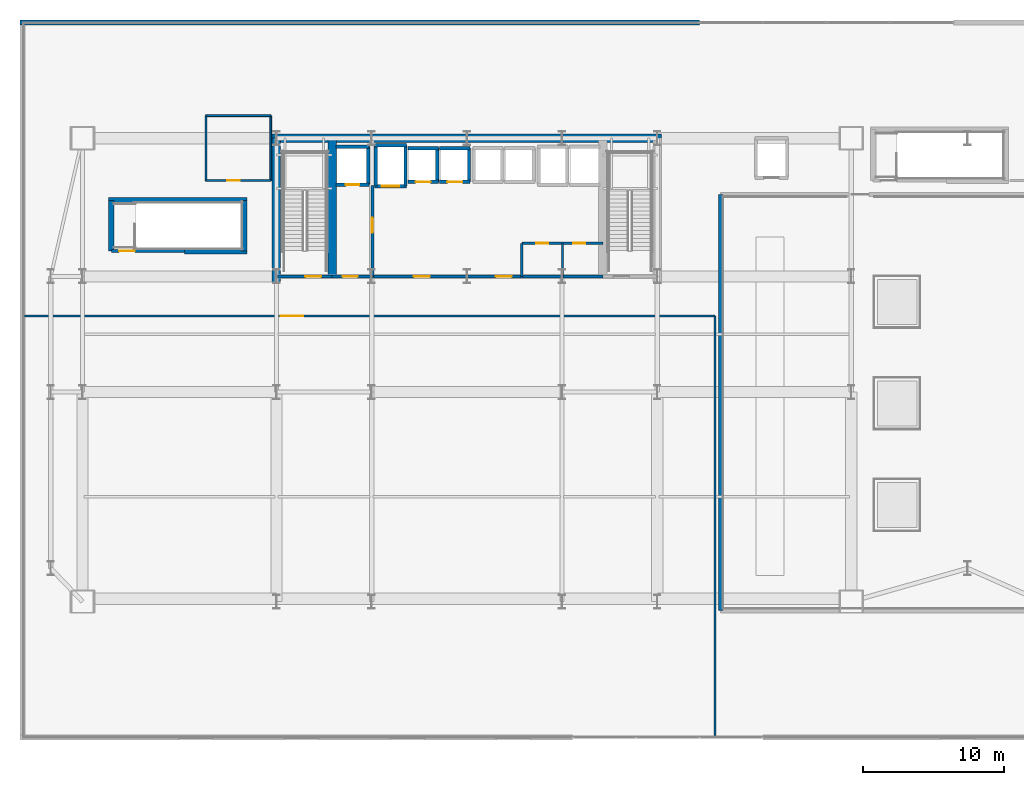
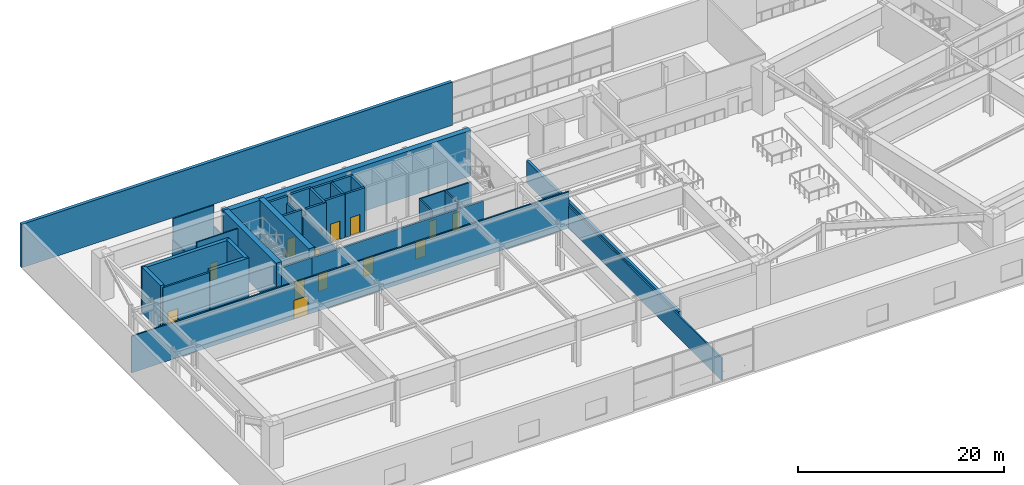
# One storey, part 16 of 29: 36 walls, 14 doors, 14 openings.
"""IFC4 building model written with IfcOpenShell, lengths in metres."""

from ifc_helpers import new_model, si_unit, direction, frame, frame_2d, origin, place, context, subcontext, project, spatial, rectangle, extrude, material, layer, layer_set, type_object, element, fill, save


model = new_model("IFC4")

# Units and contexts
model_context = context("Model", 3, precision=1e-05, world=origin(), true_north=direction((0.0, 1.0)))
body_context = subcontext(model_context, "Body", "Model", "MODEL_VIEW")
ifc_project = project(units=[si_unit("LENGTHUNIT", "METRE"), si_unit("AREAUNIT", "SQUARE_METRE"), si_unit("VOLUMEUNIT", "CUBIC_METRE"), si_unit("PLANEANGLEUNIT", "RADIAN"), si_unit("MASSUNIT", "GRAM", prefix="KILO")], contexts=[model_context])

# Site, building, storey
site_placement = place(None, origin())
site = spatial("IfcSite", under=ifc_project, at=site_placement, CompositionType="ELEMENT")
building_placement = place(site_placement, origin())
building = spatial("IfcBuilding", under=site, at=building_placement, Name="Haevon Station Towers", CompositionType="ELEMENT")
storey_placement = place(building_placement, frame((0.0, 0.0, 25.199951171875)))
storey = spatial("IfcBuildingStorey", under=building, at=storey_placement, Name="L05", CompositionType="ELEMENT", Elevation=25.199951171875)

# Wall, opening, door
ifc_material_1 = material(Name="Gypsum board on steel stud", Category="steel")
ifc_layer_1 = layer(ifc_material_1, 0.199951171875)
ifc_layer_set_1 = layer_set([ifc_layer_1], Name="Gypsum board on steel stud")
wall_type_1 = type_object("IfcWallType", Name="WL-COR200", PredefinedType="PARTITIONING", material=ifc_layer_set_1)
wall_1_placement = place(storey_placement, frame((24.0, 38.199951171875, 0.0), z_axis=(0.0, 0.0, 1.0), x_axis=(1.0, 0.0, 0.0)))
wall_1 = element("IfcWall", 1, at=wall_1_placement, inside=storey, type_object=wall_type_1, Name="WL-ST-ST1-L05", PredefinedType="PARTITIONING", context=body_context, shape_type="SweptSolid", body=[
    extrude(rectangle(XDim=3.949951171875, YDim=0.199951171875, at=frame_2d((1.97509765625, 0.0))), origin(), (0.0, 0.0, 1.0), 4.330078125),
])
opening_1_placement = place(wall_1_placement, frame((2.050048828125, 0.0, 0.0)))
opening_1 = element("IfcOpeningElement", 2, at=opening_1_placement, cuts=wall_1, Name="Opening DR-ST-ST1-L05", PredefinedType="OPENING", context=body_context, shape_type="SweptSolid", body=[
    extrude(rectangle(XDim=1.1201171875, YDim=2.10009765625, at=frame_2d((0.56005859375, 1.050048828125))), frame((0.0, 0.10986328125, 0.0), z_axis=(0.0, -1.0, 0.0), x_axis=(1.0, 0.0, 0.0)), (0.0, 0.0, 1.0), 0.219970703125),
])
ifc_material_2 = material(Name="Engineered oak timber", Category="wood")
door_type_1 = type_object("IfcDoorType", Name="DR-ST-1120", OperationType="NOTDEFINED", PredefinedType="DOOR", material=ifc_material_2)
door_1_placement = place(opening_1_placement, origin())
door_1 = element("IfcDoor", 3, at=door_1_placement, inside=storey, type_object=door_type_1, Name="L05 Escape Stair ST1 Fire Door", OperationType="SINGLE_SWING_RIGHT", OverallHeight=2.10009765625, OverallWidth=1.1201171875, PredefinedType="DOOR", context=body_context, shape_type="SweptSolid", body=[
    extrude(rectangle(XDim=1.1201171875, YDim=2.10009765625, at=frame_2d((0.56005859375, 1.050048828125))), frame((0.0, 0.02490234375, 0.0), z_axis=(0.0, -1.0, 0.0), x_axis=(1.0, 0.0, 0.0)), (0.0, 0.0, 1.0), 0.050048828125),
])
fill(opening_1, door_1)

wall_2_placement = place(storey_placement, frame((30.800048828125, 38.199951171875, 0.0), z_axis=(0.0, 0.0, 1.0), x_axis=(0.0, 1.0, 0.0)))
wall_2 = element("IfcWall", 4, at=wall_2_placement, inside=storey, type_object=wall_type_1, Name="WL-T1FFL-L05-E", PredefinedType="PARTITIONING", context=body_context, shape_type="SweptSolid", body=[
    extrude(rectangle(XDim=6.449951171875, YDim=0.199951171875, at=frame_2d((3.22509765625, 0.0))), origin(), (0.0, 0.0, 1.0), 4.330078125),
])
opening_2_placement = place(wall_2_placement, frame((3.10009765625, 0.0, 0.0)))
opening_2 = element("IfcOpeningElement", 5, at=opening_2_placement, cuts=wall_2, Name="Opening DR-T1FFL-L05-E", PredefinedType="OPENING", context=body_context, shape_type="SweptSolid", body=[
    extrude(rectangle(XDim=1.050048828125, YDim=2.10009765625, at=frame_2d((0.52490234375, 1.050048828125))), frame((0.0, 0.10986328125, 0.0), z_axis=(0.0, -1.0, 0.0), x_axis=(1.0, 0.0, 0.0)), (0.0, 0.0, 1.0), 0.219970703125),
])
door_type_2 = type_object("IfcDoorType", Name="DR-FD60-1050", OperationType="NOTDEFINED", PredefinedType="DOOR", material=ifc_material_2)
door_2_placement = place(opening_2_placement, origin())
door_2 = element("IfcDoor", 6, at=door_2_placement, inside=storey, type_object=door_type_2, Name="L05 Tower 1 Firefighting Lift Lobby Door E", OperationType="SINGLE_SWING_RIGHT", OverallHeight=2.10009765625, OverallWidth=1.050048828125, PredefinedType="DOOR", context=body_context, shape_type="SweptSolid", body=[
    extrude(rectangle(XDim=1.050048828125, YDim=2.10009765625, at=frame_2d((0.52490234375, 1.050048828125))), frame((0.0, 0.02490234375, 0.0), z_axis=(0.0, -1.0, 0.0), x_axis=(1.0, 0.0, 0.0)), (0.0, 0.0, 1.0), 0.050048828125),
])
fill(opening_2, door_2)

wall_3_placement = place(storey_placement, frame((27.949951171875, 38.199951171875, 0.0), z_axis=(0.0, 0.0, 1.0), x_axis=(1.0, 0.0, 0.0)))
wall_3 = element("IfcWall", 7, at=wall_3_placement, inside=storey, type_object=wall_type_1, Name="WL-T1FFL-L05-S", PredefinedType="PARTITIONING", context=body_context, shape_type="SweptSolid", body=[
    extrude(rectangle(XDim=2.85009765625, YDim=0.199951171875, at=frame_2d((1.425048828125, 0.0))), origin(), (0.0, 0.0, 1.0), 4.330078125),
])
opening_3_placement = place(wall_3_placement, frame((0.75, 0.0, 0.0)))
opening_3 = element("IfcOpeningElement", 8, at=opening_3_placement, cuts=wall_3, Name="Opening DR-T1FFL-L05-S", PredefinedType="OPENING", context=body_context, shape_type="SweptSolid", body=[
    extrude(rectangle(XDim=1.050048828125, YDim=2.10009765625, at=frame_2d((0.52490234375, 1.050048828125))), frame((0.0, 0.10986328125, 0.0), z_axis=(0.0, -1.0, 0.0), x_axis=(1.0, 0.0, 0.0)), (0.0, 0.0, 1.0), 0.219970703125),
])
door_3_placement = place(opening_3_placement, origin())
door_3 = element("IfcDoor", 9, at=door_3_placement, inside=storey, type_object=door_type_2, Name="L05 Tower 1 Firefighting Lift Lobby Door S", OperationType="SINGLE_SWING_LEFT", OverallHeight=2.10009765625, OverallWidth=1.050048828125, PredefinedType="DOOR", context=body_context, shape_type="SweptSolid", body=[
    extrude(rectangle(XDim=1.050048828125, YDim=2.10009765625, at=frame_2d((0.52490234375, 1.050048828125))), frame((0.0, 0.02490234375, 0.0), z_axis=(0.0, -1.0, 0.0), x_axis=(1.0, 0.0, 0.0)), (0.0, 0.0, 1.0), 0.050048828125),
])
fill(opening_3, door_3)

# Wall, openings, doors
wall_4_placement = place(storey_placement, frame((30.800048828125, 38.199951171875, 0.0), z_axis=(0.0, 0.0, 1.0), x_axis=(1.0, 0.0, 0.0)))
wall_4 = element("IfcWall", 10, at=wall_4_placement, inside=storey, type_object=wall_type_1, Name="WL-T1CLB-L05", PredefinedType="PARTITIONING", context=body_context, shape_type="SweptSolid", body=[
    extrude(rectangle(XDim=16.349853515625, YDim=0.199951171875, at=frame_2d((8.1748046875, 0.0))), origin(), (0.0, 0.0, 1.0), 4.330078125),
])
opening_4_placement = place(wall_4_placement, frame((2.949951171875, 0.0, 0.0)))
opening_4 = element("IfcOpeningElement", 11, at=opening_4_placement, cuts=wall_4, Name="Opening DR-T1CLB-L05-1", PredefinedType="OPENING", context=body_context, shape_type="SweptSolid", body=[
    extrude(rectangle(XDim=1.1201171875, YDim=2.10009765625, at=frame_2d((0.56005859375, 1.050048828125))), frame((0.0, 0.10986328125, 0.0), z_axis=(0.0, -1.0, 0.0), x_axis=(1.0, 0.0, 0.0)), (0.0, 0.0, 1.0), 0.219970703125),
])
opening_5_placement = place(wall_4_placement, frame((8.75, 0.0, 0.0)))
opening_5 = element("IfcOpeningElement", 12, at=opening_5_placement, cuts=wall_4, Name="Opening DR-T1CLB-L05-2", PredefinedType="OPENING", context=body_context, shape_type="SweptSolid", body=[
    extrude(rectangle(XDim=1.1201171875, YDim=2.10009765625, at=frame_2d((0.56005859375, 1.050048828125))), frame((0.0, 0.10986328125, 0.0), z_axis=(0.0, -1.0, 0.0), x_axis=(1.0, 0.0, 0.0)), (0.0, 0.0, 1.0), 0.219970703125),
])
door_4_placement = place(opening_4_placement, origin())
door_4 = element("IfcDoor", 13, at=door_4_placement, inside=storey, type_object=door_type_1, Name="L05 Tower 1 Core Lift Lobby Door 1", OperationType="SINGLE_SWING_RIGHT", OverallHeight=2.10009765625, OverallWidth=1.1201171875, PredefinedType="DOOR", context=body_context, shape_type="SweptSolid", body=[
    extrude(rectangle(XDim=1.1201171875, YDim=2.10009765625, at=frame_2d((0.56005859375, 1.050048828125))), frame((0.0, 0.02490234375, 0.0), z_axis=(0.0, -1.0, 0.0), x_axis=(1.0, 0.0, 0.0)), (0.0, 0.0, 1.0), 0.050048828125),
])
fill(opening_4, door_4)
door_5_placement = place(opening_5_placement, origin())
door_5 = element("IfcDoor", 14, at=door_5_placement, inside=storey, type_object=door_type_1, Name="L05 Tower 1 Core Lift Lobby Door 2", OperationType="SINGLE_SWING_LEFT", OverallHeight=2.10009765625, OverallWidth=1.1201171875, PredefinedType="DOOR", context=body_context, shape_type="SweptSolid", body=[
    extrude(rectangle(XDim=1.1201171875, YDim=2.10009765625, at=frame_2d((0.56005859375, 1.050048828125))), frame((0.0, 0.02490234375, 0.0), z_axis=(0.0, -1.0, 0.0), x_axis=(1.0, 0.0, 0.0)), (0.0, 0.0, 1.0), 0.050048828125),
])
fill(opening_5, door_5)

# Wall, opening, door
wall_5_placement = place(storey_placement, frame((12.300048828125, 40.0, 0.0), z_axis=(0.0, 0.0, 1.0), x_axis=(1.0, 0.0, 0.0)))
wall_5 = element("IfcWall", 15, at=wall_5_placement, inside=storey, type_object=wall_type_1, Name="WL-ST-ST5-L05-S", PredefinedType="PARTITIONING", context=body_context, shape_type="SweptSolid", body=[
    extrude(rectangle(XDim=5.199951171875, YDim=0.199951171875, at=frame_2d((2.60009765625, 0.0))), origin(), (0.0, 0.0, 1.0), 5.130126953125),
])
opening_6_placement = place(wall_5_placement, frame((0.550048828125, 0.0, 0.0)))
opening_6 = element("IfcOpeningElement", 16, at=opening_6_placement, cuts=wall_5, Name="Opening DR-ST-ST5-L05", PredefinedType="OPENING", context=body_context, shape_type="SweptSolid", body=[
    extrude(rectangle(XDim=1.1201171875, YDim=2.10009765625, at=frame_2d((0.56005859375, 1.050048828125))), frame((0.0, 0.10986328125, 0.0), z_axis=(0.0, -1.0, 0.0), x_axis=(1.0, 0.0, 0.0)), (0.0, 0.0, 1.0), 0.219970703125),
])
door_6_placement = place(opening_6_placement, origin())
door_6 = element("IfcDoor", 17, at=door_6_placement, inside=storey, type_object=door_type_1, Name="L05 Station Escape Stair ST5 Fire Door", OperationType="SINGLE_SWING_LEFT", OverallHeight=2.10009765625, OverallWidth=1.1201171875, PredefinedType="DOOR", context=body_context, shape_type="SweptSolid", body=[
    extrude(rectangle(XDim=1.1201171875, YDim=2.10009765625, at=frame_2d((0.56005859375, 1.050048828125))), frame((0.0, 0.02490234375, 0.0), z_axis=(0.0, -1.0, 0.0), x_axis=(1.0, 0.0, 0.0)), (0.0, 0.0, 1.0), 0.050048828125),
])
fill(opening_6, door_6)

# Walls
ifc_material_3 = material(Name="Concrete C60/75", Category="concrete")
ifc_layer_2 = layer(ifc_material_3, 0.39990234375)
ifc_layer_set_2 = layer_set([ifc_layer_2], Name="Concrete C60/75")
wall_type_2 = type_object("IfcWallType", Name="WL-CR400", PredefinedType="SHEAR", material=ifc_layer_set_2)
wall_6_placement = place(storey_placement, frame((12.10009765625, 43.60009765625, 0.0), z_axis=(0.0, 0.0, 1.0), x_axis=(1.0, 0.0, 0.0)))
element("IfcWall", 18, at=wall_6_placement, inside=storey, type_object=wall_type_2, Name="WL-ST5CR-L05-N", PredefinedType="SHEAR", context=body_context, shape_type="SweptSolid", body=[
    extrude(rectangle(XDim=9.7998046875, YDim=0.39990234375, at=frame_2d((4.89990234375, 0.0))), origin(), (0.0, 0.0, 1.0), 5.400146484375),
])
for number, where, z_axis, x_axis, name in (
    (19, (12.300048828125, 40.0, 0.0), (0.0, 0.0, 1.0), (0.0, 1.0, 0.0), "WL-ST5CR-L05-W"),
    (20, (21.699951171875, 40.0, 0.0), (0.0, 0.0, 1.0), (0.0, 1.0, 0.0), "WL-ST5CR-L05-E"),
):
    element("IfcWall", number, at=place(storey_placement, frame(where, z_axis=z_axis, x_axis=x_axis)), inside=storey, type_object=wall_type_2, Name=name, PredefinedType="SHEAR", context=body_context, shape_type="SweptSolid", body=[
        extrude(rectangle(XDim=3.60009765625, YDim=0.39990234375, at=frame_2d((1.800048828125, 0.0))), origin(), (0.0, 0.0, 1.0), 5.400146484375),
    ])
wall_7_placement = place(storey_placement, frame((17.5, 40.0, 0.0), z_axis=(0.0, 0.0, 1.0), x_axis=(1.0, 0.0, 0.0)))
element("IfcWall", 21, at=wall_7_placement, inside=storey, type_object=wall_type_2, Name="WL-ST5CR-L05-S2", PredefinedType="SHEAR", context=body_context, shape_type="SweptSolid", body=[
    extrude(rectangle(XDim=4.39990234375, YDim=0.39990234375, at=frame_2d((2.199951171875, 0.0))), origin(), (0.0, 0.0, 1.0), 5.400146484375),
])
ifc_layer_3 = layer(ifc_material_3, 0.60009765625)
ifc_layer_set_3 = layer_set([ifc_layer_3], Name="Concrete C60/75")
wall_type_3 = type_object("IfcWallType", Name="WL-CR600", PredefinedType="SHEAR", material=ifc_layer_set_3)
wall_8_placement = place(storey_placement, frame((23.699951171875, 48.0, 0.0), z_axis=(0.0, 0.0, 1.0), x_axis=(1.0, 0.0, 0.0)))
element("IfcWall", 22, at=wall_8_placement, inside=storey, type_object=wall_type_3, Name="WL-T1CR-L05-N", PredefinedType="SHEAR", context=body_context, shape_type="SweptSolid", body=[
    extrude(rectangle(XDim=27.60009765625, YDim=0.60009765625, at=frame_2d((13.800048828125, 0.0))), origin(), (0.0, 0.0, 1.0), 5.400146484375),
])
wall_9_placement = place(storey_placement, frame((24.0, 37.679931640625, 0.0), z_axis=(0.0, 0.0, 1.0), x_axis=(0.0, 1.0, 0.0)))
element("IfcWall", 23, at=wall_9_placement, inside=storey, type_object=wall_type_3, Name="WL-T1CR-L05-W", PredefinedType="SHEAR", context=body_context, shape_type="SweptSolid", body=[
    extrude(rectangle(XDim=10.320068359375, YDim=0.60009765625, at=frame_2d((5.16015625, 0.0))), origin(), (0.0, 0.0, 1.0), 5.400146484375),
])
wall_10_placement = place(storey_placement, frame((27.949951171875, 38.199951171875, 0.0), z_axis=(0.0, 0.0, 1.0), x_axis=(0.0, 1.0, 0.0)))
element("IfcWall", 24, at=wall_10_placement, inside=storey, type_object=wall_type_3, Name="WL-T1CR-L05-M1", PredefinedType="SHEAR", context=body_context, shape_type="SweptSolid", body=[
    extrude(rectangle(XDim=9.800048828125, YDim=0.60009765625, at=frame_2d((4.89990234375, 0.0))), origin(), (0.0, 0.0, 1.0), 5.400146484375),
])
ifc_material_4 = material(Name="Precast concrete C45/55", Category="concrete")
ifc_layer_4 = layer(ifc_material_4, 0.300048828125)
ifc_layer_set_4 = layer_set([ifc_layer_4], Name="Precast concrete C45/55")
wall_type_4 = type_object("IfcWallType", Name="WL-EXT-PIER300", PredefinedType="SOLIDWALL", material=ifc_layer_set_4)
wall_11_placement = place(storey_placement, frame((55.5, 14.5, 0.0), z_axis=(0.0, 0.0, 1.0), x_axis=(0.0, 1.0, 0.0)))
element("IfcWall", 25, at=wall_11_placement, inside=storey, type_object=wall_type_4, Name="WL-L05-CTYD-W", PredefinedType="SOLIDWALL", context=body_context, shape_type="SweptSolid", body=[
    extrude(rectangle(XDim=29.5, YDim=0.300048828125, at=frame_2d((14.75, 0.0))), origin(), (0.0, 0.0, 1.0), 2.630126953125),
])
ifc_layer_5 = layer(ifc_material_4, 0.360107421875)
ifc_layer_set_5 = layer_set([ifc_layer_5], Name="Precast concrete C45/55")
wall_type_5 = type_object("IfcWallType", Name="WL-EXT-POD360", PredefinedType="SOLIDWALL", material=ifc_layer_set_5)
wall_12_placement = place(storey_placement, frame((5.820068359375, 56.199951171875, 0.0), z_axis=(0.0, 0.0, 1.0), x_axis=(1.0, 0.0, 0.0)))
element("IfcWall", 26, at=wall_12_placement, inside=storey, type_object=wall_type_5, Name="WL-POD-L05-N1", PredefinedType="SOLIDWALL", context=body_context, shape_type="SweptSolid", body=[
    extrude(rectangle(XDim=48.179931640625, YDim=0.360107421875, at=frame_2d((24.08984375, 0.0))), origin(), (0.0, 0.0, 1.0), 5.130126953125),
])

# Wall, opening, door
ifc_layer_6 = layer(ifc_material_1, 0.125)
ifc_layer_set_6 = layer_set([ifc_layer_6], Name="Gypsum board on steel stud")
wall_type_6 = type_object("IfcWallType", Name="WL-PRT125", PredefinedType="PARTITIONING", material=ifc_layer_set_6)
wall_13_placement = place(storey_placement, frame((19.0, 45.0, 0.0), z_axis=(0.0, 0.0, 1.0), x_axis=(1.0, 0.0, 0.0)))
wall_13 = element("IfcWall", 27, at=wall_13_placement, inside=storey, type_object=wall_type_6, Name="WL-L05-WCS", PredefinedType="PARTITIONING", context=body_context, shape_type="SweptSolid", body=[
    extrude(rectangle(XDim=4.60009765625, YDim=0.125, at=frame_2d((2.300048828125, 0.0))), origin(), (0.0, 0.0, 1.0), 5.130126953125),
])
opening_7_placement = place(wall_13_placement, frame((1.5, 0.0, 0.0)))
opening_7 = element("IfcOpeningElement", 28, at=opening_7_placement, cuts=wall_13, Name="Opening DR-WL-L05-WCS-1", PredefinedType="OPENING", context=body_context, shape_type="SweptSolid", body=[
    extrude(rectangle(XDim=0.89990234375, YDim=2.050048828125, at=frame_2d((0.449951171875, 1.02490234375))), frame((0.0, 0.072509765625, 0.0), z_axis=(0.0, -1.0, 0.0), x_axis=(1.0, 0.0, 0.0)), (0.0, 0.0, 1.0), 0.14501953125),
])
door_type_3 = type_object("IfcDoorType", Name="DR-INT-900", OperationType="NOTDEFINED", PredefinedType="DOOR", material=ifc_material_2)
door_7_placement = place(opening_7_placement, origin())
door_7 = element("IfcDoor", 29, at=door_7_placement, inside=storey, type_object=door_type_3, Name="L05 Interior Door WL-L05-WCS-1", OperationType="SINGLE_SWING_RIGHT", OverallHeight=2.050048828125, OverallWidth=0.89990234375, PredefinedType="DOOR", context=body_context, shape_type="SweptSolid", body=[
    extrude(rectangle(XDim=0.89990234375, YDim=2.050048828125, at=frame_2d((0.449951171875, 1.02490234375))), frame((0.0, 0.02490234375, 0.0), z_axis=(0.0, -1.0, 0.0), x_axis=(1.0, 0.0, 0.0)), (0.0, 0.0, 1.0), 0.050048828125),
])
fill(opening_7, door_7)

# Walls
wall_14_placement = place(storey_placement, frame((19.0, 49.60009765625, 0.0), z_axis=(0.0, 0.0, 1.0), x_axis=(1.0, 0.0, 0.0)))
element("IfcWall", 30, at=wall_14_placement, inside=storey, type_object=wall_type_6, Name="WL-L05-WCN", PredefinedType="PARTITIONING", context=body_context, shape_type="SweptSolid", body=[
    extrude(rectangle(XDim=4.60009765625, YDim=0.125, at=frame_2d((2.300048828125, 0.0))), origin(), (0.0, 0.0, 1.0), 5.130126953125),
])
for number, where, z_axis, x_axis, name in (
    (31, (19.0, 45.0, 0.0), (0.0, 0.0, 1.0), (0.0, 1.0, 0.0), "WL-L05-WCW"),
    (32, (23.60009765625, 45.0, 0.0), (0.0, 0.0, 1.0), (0.0, 1.0, 0.0), "WL-L05-WCE"),
):
    element("IfcWall", number, at=place(storey_placement, frame(where, z_axis=z_axis, x_axis=x_axis)), inside=storey, type_object=wall_type_6, Name=name, PredefinedType="PARTITIONING", context=body_context, shape_type="SweptSolid", body=[
        extrude(rectangle(XDim=4.60009765625, YDim=0.125, at=frame_2d((2.300048828125, 0.0))), origin(), (0.0, 0.0, 1.0), 2.630126953125),
    ])
ifc_layer_7 = layer(ifc_material_1, 0.159912109375)
ifc_layer_set_7 = layer_set([ifc_layer_7], Name="Gypsum board on steel stud")
wall_type_7 = type_object("IfcWallType", Name="WL-PRT160", PredefinedType="PARTITIONING", material=ifc_layer_set_7)
wall_15_placement = place(storey_placement, frame((55.10009765625, 5.64990234375, 0.0), z_axis=(0.0, 0.0, 1.0), x_axis=(0.0, 1.0, 0.0)))
element("IfcWall", 33, at=wall_15_placement, inside=storey, type_object=wall_type_7, Name="WL-L05-WEST", PredefinedType="PARTITIONING", context=body_context, shape_type="SweptSolid", body=[
    extrude(rectangle(XDim=29.75, YDim=0.159912109375, at=frame_2d((14.875, 0.0))), origin(), (0.0, 0.0, 1.0), 2.630126953125),
])

# Wall, opening, door
wall_16_placement = place(storey_placement, frame((6.14990234375, 35.39990234375, 0.0), z_axis=(0.0, 0.0, 1.0), x_axis=(1.0, 0.0, 0.0)))
wall_16 = element("IfcWall", 34, at=wall_16_placement, inside=storey, type_object=wall_type_7, Name="WL-L05-WESTN", PredefinedType="PARTITIONING", context=body_context, shape_type="SweptSolid", body=[
    extrude(rectangle(XDim=48.9501953125, YDim=0.159912109375, at=frame_2d((24.47509765625, 0.0))), origin(), (0.0, 0.0, 1.0), 4.330078125),
])
opening_8_placement = place(wall_16_placement, frame((18.14990234375, 0.0, 0.0)))
opening_8 = element("IfcOpeningElement", 35, at=opening_8_placement, cuts=wall_16, Name="Opening DR-WL-L05-WESTN-1", PredefinedType="OPENING", context=body_context, shape_type="SweptSolid", body=[
    extrude(rectangle(XDim=1.60009765625, YDim=2.199951171875, at=frame_2d((0.800048828125, 1.10009765625))), frame((0.0, 0.08984375, 0.0), z_axis=(0.0, -1.0, 0.0), x_axis=(1.0, 0.0, 0.0)), (0.0, 0.0, 1.0), 0.179931640625),
])
door_type_4 = type_object("IfcDoorType", Name="DR-POD-1600", OperationType="NOTDEFINED", PredefinedType="DOOR", material=ifc_material_2)
door_8_placement = place(opening_8_placement, origin())
door_8 = element("IfcDoor", 36, at=door_8_placement, inside=storey, type_object=door_type_4, Name="L05 Interior Door WL-L05-WESTN-1", OperationType="DOUBLE_DOOR_SINGLE_SWING", OverallHeight=2.199951171875, OverallWidth=1.60009765625, PredefinedType="DOOR", context=body_context, shape_type="SweptSolid", body=[
    extrude(rectangle(XDim=1.60009765625, YDim=2.199951171875, at=frame_2d((0.800048828125, 1.10009765625))), frame((0.0, 0.02490234375, 0.0), z_axis=(0.0, -1.0, 0.0), x_axis=(1.0, 0.0, 0.0)), (0.0, 0.0, 1.0), 0.050048828125),
])
fill(opening_8, door_8)

# Walls
for number, where, z_axis, x_axis, name in (
    (37, (41.39990234375, 38.199951171875, 0.0), (0.0, 0.0, 1.0), (0.0, 1.0, 0.0), "WL-T1CW-L05-01"),
    (38, (44.280029296875, 38.199951171875, 0.0), (0.0, 0.0, 1.0), (0.0, 1.0, 0.0), "WL-T1CW-L05-02"),
):
    element("IfcWall", number, at=place(storey_placement, frame(where, z_axis=z_axis, x_axis=x_axis)), inside=storey, type_object=wall_type_7, Name=name, PredefinedType="PARTITIONING", context=body_context, shape_type="SweptSolid", body=[
        extrude(rectangle(XDim=2.35009765625, YDim=0.159912109375, at=frame_2d((1.175048828125, 0.0))), origin(), (0.0, 0.0, 1.0), 5.130126953125),
    ])

# Wall, openings, doors
wall_17_placement = place(storey_placement, frame((41.39990234375, 40.550048828125, 0.0), z_axis=(0.0, 0.0, 1.0), x_axis=(1.0, 0.0, 0.0)))
wall_17 = element("IfcWall", 39, at=wall_17_placement, inside=storey, type_object=wall_type_7, Name="WL-T1CW-L05-03", PredefinedType="PARTITIONING", context=body_context, shape_type="SweptSolid", body=[
    extrude(rectangle(XDim=5.75, YDim=0.159912109375, at=frame_2d((2.875, 0.0))), origin(), (0.0, 0.0, 1.0), 5.130126953125),
])
opening_9_placement = place(wall_17_placement, frame((1.034912109375, 0.0, 0.0)))
opening_9 = element("IfcOpeningElement", 40, at=opening_9_placement, cuts=wall_17, Name="Opening DR-WL-T1CW-L05-03-1", PredefinedType="OPENING", context=body_context, shape_type="SweptSolid", body=[
    extrude(rectangle(XDim=0.85009765625, YDim=2.050048828125, at=frame_2d((0.425048828125, 1.02490234375))), frame((0.0, 0.08984375, 0.0), z_axis=(0.0, -1.0, 0.0), x_axis=(1.0, 0.0, 0.0)), (0.0, 0.0, 1.0), 0.179931640625),
])
opening_10_placement = place(wall_17_placement, frame((3.655029296875, 0.0, 0.0)))
opening_10 = element("IfcOpeningElement", 41, at=opening_10_placement, cuts=wall_17, Name="Opening DR-WL-T1CW-L05-03-2", PredefinedType="OPENING", context=body_context, shape_type="SweptSolid", body=[
    extrude(rectangle(XDim=0.85009765625, YDim=2.050048828125, at=frame_2d((0.425048828125, 1.02490234375))), frame((0.0, 0.08984375, 0.0), z_axis=(0.0, -1.0, 0.0), x_axis=(1.0, 0.0, 0.0)), (0.0, 0.0, 1.0), 0.179931640625),
])
door_type_5 = type_object("IfcDoorType", Name="DR-FD30-850", OperationType="NOTDEFINED", PredefinedType="DOOR", material=ifc_material_2)
door_9_placement = place(opening_9_placement, origin())
door_9 = element("IfcDoor", 42, at=door_9_placement, inside=storey, type_object=door_type_5, Name="L05 Tower 1 Core Room Door 3-1", OperationType="SINGLE_SWING_RIGHT", OverallHeight=2.050048828125, OverallWidth=0.85009765625, PredefinedType="DOOR", context=body_context, shape_type="SweptSolid", body=[
    extrude(rectangle(XDim=0.85009765625, YDim=2.050048828125, at=frame_2d((0.425048828125, 1.02490234375))), frame((0.0, 0.02490234375, 0.0), z_axis=(0.0, -1.0, 0.0), x_axis=(1.0, 0.0, 0.0)), (0.0, 0.0, 1.0), 0.050048828125),
])
fill(opening_9, door_9)
door_10_placement = place(opening_10_placement, origin())
door_10 = element("IfcDoor", 43, at=door_10_placement, inside=storey, type_object=door_type_5, Name="L05 Tower 1 Core Room Door 3-2", OperationType="SINGLE_SWING_LEFT", OverallHeight=2.050048828125, OverallWidth=0.85009765625, PredefinedType="DOOR", context=body_context, shape_type="SweptSolid", body=[
    extrude(rectangle(XDim=0.85009765625, YDim=2.050048828125, at=frame_2d((0.425048828125, 1.02490234375))), frame((0.0, 0.02490234375, 0.0), z_axis=(0.0, -1.0, 0.0), x_axis=(1.0, 0.0, 0.0)), (0.0, 0.0, 1.0), 0.050048828125),
])
fill(opening_10, door_10)

# Wall, opening, door
ifc_material_5 = material(Name="Concrete C40/50", Category="concrete")
ifc_layer_8 = layer(ifc_material_5, 0.239990234375)
ifc_layer_set_8 = layer_set([ifc_layer_8], Name="Concrete C40/50")
wall_type_8 = type_object("IfcWallType", Name="WL-SHF240", PredefinedType="PARTITIONING", material=ifc_layer_set_8)
wall_18_placement = place(storey_placement, frame((28.219970703125, 44.699951171875, 0.0), z_axis=(0.0, 0.0, 1.0), x_axis=(1.0, 0.0, 0.0)))
wall_18 = element("IfcWall", 44, at=wall_18_placement, inside=storey, type_object=wall_type_8, Name="WL-SHF-FL1-L05", PredefinedType="PARTITIONING", context=body_context, shape_type="SweptSolid", body=[
    extrude(rectangle(XDim=2.360107421875, YDim=0.239990234375, at=frame_2d((1.18017578125, 0.0))), origin(), (0.0, 0.0, 1.0), 5.130126953125),
])
opening_11_placement = place(wall_18_placement, frame((0.705078125, 0.0, 0.0)))
opening_11 = element("IfcOpeningElement", 45, at=opening_11_placement, cuts=wall_18, Name="Opening LD-FL1-L05", PredefinedType="OPENING", context=body_context, shape_type="SweptSolid", body=[
    extrude(rectangle(XDim=0.949951171875, YDim=2.14990234375, at=frame_2d((0.47509765625, 1.074951171875))), frame((0.0, 0.1298828125, 0.0), z_axis=(0.0, -1.0, 0.0), x_axis=(1.0, 0.0, 0.0)), (0.0, 0.0, 1.0), 0.260009765625),
])
ifc_material_6 = material(Name="Stainless steel and rated core", Category="steel")
door_type_6 = type_object("IfcDoorType", Name="LD-FL950", OperationType="SLIDING_TO_LEFT", PredefinedType="DOOR", material=ifc_material_6)
door_11_placement = place(opening_11_placement, origin())
door_11 = element("IfcDoor", 46, at=door_11_placement, inside=storey, type_object=door_type_6, Name="L05 Lift FL1 Sliding Landing Door", OperationType="SLIDING_TO_LEFT", OverallHeight=2.14990234375, OverallWidth=0.949951171875, PredefinedType="DOOR", context=body_context, shape_type="SweptSolid", body=[
    extrude(rectangle(XDim=0.949951171875, YDim=2.14990234375, at=frame_2d((0.47509765625, 1.074951171875))), frame((0.0, 0.02490234375, 0.0), z_axis=(0.0, -1.0, 0.0), x_axis=(1.0, 0.0, 0.0)), (0.0, 0.0, 1.0), 0.050048828125),
])
fill(opening_11, door_11)

# Walls
wall_19_placement = place(storey_placement, frame((28.219970703125, 47.39990234375, 0.0), z_axis=(0.0, 0.0, 1.0), x_axis=(1.0, 0.0, 0.0)))
element("IfcWall", 47, at=wall_19_placement, inside=storey, type_object=wall_type_8, Name="WL-SHF-FL1-L05-N", PredefinedType="PARTITIONING", context=body_context, shape_type="SweptSolid", body=[
    extrude(rectangle(XDim=2.360107421875, YDim=0.239990234375, at=frame_2d((1.18017578125, 0.0))), origin(), (0.0, 0.0, 1.0), 5.130126953125),
])
wall_20_placement = place(storey_placement, frame((30.5, 44.699951171875, 0.0), z_axis=(0.0, 0.0, 1.0), x_axis=(0.0, 1.0, 0.0)))
element("IfcWall", 48, at=wall_20_placement, inside=storey, type_object=wall_type_8, Name="WL-SHF-FL1-L05-E", PredefinedType="PARTITIONING", context=body_context, shape_type="SweptSolid", body=[
    extrude(rectangle(XDim=2.699951171875, YDim=0.239990234375, at=frame_2d((1.35009765625, 0.0))), origin(), (0.0, 0.0, 1.0), 4.330078125),
])

# Wall, opening, door
wall_21_placement = place(storey_placement, frame((30.969970703125, 44.60009765625, 0.0), z_axis=(0.0, 0.0, 1.0), x_axis=(1.0, 0.0, 0.0)))
wall_21 = element("IfcWall", 49, at=wall_21_placement, inside=storey, type_object=wall_type_8, Name="WL-SHF-SL1-L05", PredefinedType="PARTITIONING", context=body_context, shape_type="SweptSolid", body=[
    extrude(rectangle(XDim=2.260009765625, YDim=0.239990234375, at=frame_2d((1.1298828125, 0.0))), origin(), (0.0, 0.0, 1.0), 5.130126953125),
])
opening_12_placement = place(wall_21_placement, frame((0.5048828125, 0.0, 0.0)))
opening_12 = element("IfcOpeningElement", 50, at=opening_12_placement, cuts=wall_21, Name="Opening LD-SL1-L05", PredefinedType="OPENING", context=body_context, shape_type="SweptSolid", body=[
    extrude(rectangle(XDim=1.25, YDim=2.199951171875, at=frame_2d((0.625, 1.10009765625))), frame((0.0, 0.1298828125, 0.0), z_axis=(0.0, -1.0, 0.0), x_axis=(1.0, 0.0, 0.0)), (0.0, 0.0, 1.0), 0.260009765625),
])
door_type_7 = type_object("IfcDoorType", Name="LD-SL1250", OperationType="SLIDING_TO_LEFT", PredefinedType="DOOR", material=ifc_material_6)
door_12_placement = place(opening_12_placement, origin())
door_12 = element("IfcDoor", 51, at=door_12_placement, inside=storey, type_object=door_type_7, Name="L05 Lift SL1 Sliding Landing Door", OperationType="SLIDING_TO_LEFT", OverallHeight=2.199951171875, OverallWidth=1.25, PredefinedType="DOOR", context=body_context, shape_type="SweptSolid", body=[
    extrude(rectangle(XDim=1.25, YDim=2.199951171875, at=frame_2d((0.625, 1.10009765625))), frame((0.0, 0.02490234375, 0.0), z_axis=(0.0, -1.0, 0.0), x_axis=(1.0, 0.0, 0.0)), (0.0, 0.0, 1.0), 0.050048828125),
])
fill(opening_12, door_12)

# Walls
wall_22_placement = place(storey_placement, frame((30.969970703125, 47.5, 0.0), z_axis=(0.0, 0.0, 1.0), x_axis=(1.0, 0.0, 0.0)))
element("IfcWall", 52, at=wall_22_placement, inside=storey, type_object=wall_type_8, Name="WL-SHF-SL1-L05-N", PredefinedType="PARTITIONING", context=body_context, shape_type="SweptSolid", body=[
    extrude(rectangle(XDim=2.260009765625, YDim=0.239990234375, at=frame_2d((1.1298828125, 0.0))), origin(), (0.0, 0.0, 1.0), 5.130126953125),
])
wall_23_placement = place(storey_placement, frame((31.050048828125, 44.60009765625, 0.0), z_axis=(0.0, 0.0, 1.0), x_axis=(0.0, 1.0, 0.0)))
element("IfcWall", 53, at=wall_23_placement, inside=storey, type_object=wall_type_8, Name="WL-SHF-SL1-L05-W", PredefinedType="PARTITIONING", context=body_context, shape_type="SweptSolid", body=[
    extrude(rectangle(XDim=2.89990234375, YDim=0.239990234375, at=frame_2d((1.449951171875, 0.0))), origin(), (0.0, 0.0, 1.0), 4.330078125),
])
wall_24_placement = place(storey_placement, frame((33.14990234375, 44.60009765625, 0.0), z_axis=(0.0, 0.0, 1.0), x_axis=(0.0, 1.0, 0.0)))
element("IfcWall", 54, at=wall_24_placement, inside=storey, type_object=wall_type_8, Name="WL-SHF-SL1-L05-E", PredefinedType="PARTITIONING", context=body_context, shape_type="SweptSolid", body=[
    extrude(rectangle(XDim=2.89990234375, YDim=0.239990234375, at=frame_2d((1.449951171875, 0.0))), origin(), (0.0, 0.0, 1.0), 5.130126953125),
])

# Wall, opening, door
wall_25_placement = place(storey_placement, frame((33.320068359375, 44.89990234375, 0.0), z_axis=(0.0, 0.0, 1.0), x_axis=(1.0, 0.0, 0.0)))
wall_25 = element("IfcWall", 55, at=wall_25_placement, inside=storey, type_object=wall_type_8, Name="WL-SHF-PL1-L05", PredefinedType="PARTITIONING", context=body_context, shape_type="SweptSolid", body=[
    extrude(rectangle(XDim=2.159912109375, YDim=0.239990234375, at=frame_2d((1.080078125, 0.0))), origin(), (0.0, 0.0, 1.0), 5.130126953125),
])
opening_13_placement = place(wall_25_placement, frame((0.554931640625, 0.0, 0.0)))
opening_13 = element("IfcOpeningElement", 56, at=opening_13_placement, cuts=wall_25, Name="Opening LD-PL1-L05", PredefinedType="OPENING", context=body_context, shape_type="SweptSolid", body=[
    extrude(rectangle(XDim=1.050048828125, YDim=2.14990234375, at=frame_2d((0.52490234375, 1.074951171875))), frame((0.0, 0.1298828125, 0.0), z_axis=(0.0, -1.0, 0.0), x_axis=(1.0, 0.0, 0.0)), (0.0, 0.0, 1.0), 0.260009765625),
])
door_type_8 = type_object("IfcDoorType", Name="LD-PL1050", OperationType="SLIDING_TO_LEFT", PredefinedType="DOOR", material=ifc_material_6)
door_13_placement = place(opening_13_placement, origin())
door_13 = element("IfcDoor", 57, at=door_13_placement, inside=storey, type_object=door_type_8, Name="L05 Lift PL1 Sliding Landing Door", OperationType="SLIDING_TO_LEFT", OverallHeight=2.14990234375, OverallWidth=1.050048828125, PredefinedType="DOOR", context=body_context, shape_type="SweptSolid", body=[
    extrude(rectangle(XDim=1.050048828125, YDim=2.14990234375, at=frame_2d((0.52490234375, 1.074951171875))), frame((0.0, 0.02490234375, 0.0), z_axis=(0.0, -1.0, 0.0), x_axis=(1.0, 0.0, 0.0)), (0.0, 0.0, 1.0), 0.050048828125),
])
fill(opening_13, door_13)

# Walls
wall_26_placement = place(storey_placement, frame((33.320068359375, 47.300048828125, 0.0), z_axis=(0.0, 0.0, 1.0), x_axis=(1.0, 0.0, 0.0)))
element("IfcWall", 58, at=wall_26_placement, inside=storey, type_object=wall_type_8, Name="WL-SHF-PL1-L05-N", PredefinedType="PARTITIONING", context=body_context, shape_type="SweptSolid", body=[
    extrude(rectangle(XDim=2.159912109375, YDim=0.239990234375, at=frame_2d((1.080078125, 0.0))), origin(), (0.0, 0.0, 1.0), 5.130126953125),
])
wall_27_placement = place(storey_placement, frame((35.39990234375, 44.89990234375, 0.0), z_axis=(0.0, 0.0, 1.0), x_axis=(0.0, 1.0, 0.0)))
element("IfcWall", 59, at=wall_27_placement, inside=storey, type_object=wall_type_8, Name="WL-SHF-PL1-L05-E", PredefinedType="PARTITIONING", context=body_context, shape_type="SweptSolid", body=[
    extrude(rectangle(XDim=2.400146484375, YDim=0.239990234375, at=frame_2d((1.2001953125, 0.0))), origin(), (0.0, 0.0, 1.0), 5.130126953125),
])

# Wall, opening, door
wall_28_placement = place(storey_placement, frame((35.570068359375, 44.89990234375, 0.0), z_axis=(0.0, 0.0, 1.0), x_axis=(1.0, 0.0, 0.0)))
wall_28 = element("IfcWall", 60, at=wall_28_placement, inside=storey, type_object=wall_type_8, Name="WL-SHF-PL2-L05", PredefinedType="PARTITIONING", context=body_context, shape_type="SweptSolid", body=[
    extrude(rectangle(XDim=2.159912109375, YDim=0.239990234375, at=frame_2d((1.080078125, 0.0))), origin(), (0.0, 0.0, 1.0), 5.130126953125),
])
opening_14_placement = place(wall_28_placement, frame((0.554931640625, 0.0, 0.0)))
opening_14 = element("IfcOpeningElement", 61, at=opening_14_placement, cuts=wall_28, Name="Opening LD-PL2-L05", PredefinedType="OPENING", context=body_context, shape_type="SweptSolid", body=[
    extrude(rectangle(XDim=1.050048828125, YDim=2.14990234375, at=frame_2d((0.52490234375, 1.074951171875))), frame((0.0, 0.1298828125, 0.0), z_axis=(0.0, -1.0, 0.0), x_axis=(1.0, 0.0, 0.0)), (0.0, 0.0, 1.0), 0.260009765625),
])
door_14_placement = place(opening_14_placement, origin())
door_14 = element("IfcDoor", 62, at=door_14_placement, inside=storey, type_object=door_type_8, Name="L05 Lift PL2 Sliding Landing Door", OperationType="SLIDING_TO_LEFT", OverallHeight=2.14990234375, OverallWidth=1.050048828125, PredefinedType="DOOR", context=body_context, shape_type="SweptSolid", body=[
    extrude(rectangle(XDim=1.050048828125, YDim=2.14990234375, at=frame_2d((0.52490234375, 1.074951171875))), frame((0.0, 0.02490234375, 0.0), z_axis=(0.0, -1.0, 0.0), x_axis=(1.0, 0.0, 0.0)), (0.0, 0.0, 1.0), 0.050048828125),
])
fill(opening_14, door_14)

# Walls
wall_29_placement = place(storey_placement, frame((35.570068359375, 47.300048828125, 0.0), z_axis=(0.0, 0.0, 1.0), x_axis=(1.0, 0.0, 0.0)))
element("IfcWall", 63, at=wall_29_placement, inside=storey, type_object=wall_type_8, Name="WL-SHF-PL2-L05-N", PredefinedType="PARTITIONING", context=body_context, shape_type="SweptSolid", body=[
    extrude(rectangle(XDim=2.159912109375, YDim=0.239990234375, at=frame_2d((1.080078125, 0.0))), origin(), (0.0, 0.0, 1.0), 5.130126953125),
])
wall_30_placement = place(storey_placement, frame((37.64990234375, 44.89990234375, 0.0), z_axis=(0.0, 0.0, 1.0), x_axis=(0.0, 1.0, 0.0)))
element("IfcWall", 64, at=wall_30_placement, inside=storey, type_object=wall_type_8, Name="WL-SHF-PL2-L05-E", PredefinedType="PARTITIONING", context=body_context, shape_type="SweptSolid", body=[
    extrude(rectangle(XDim=2.400146484375, YDim=0.239990234375, at=frame_2d((1.2001953125, 0.0))), origin(), (0.0, 0.0, 1.0), 5.130126953125),
])

save(model, "model.ifc")
